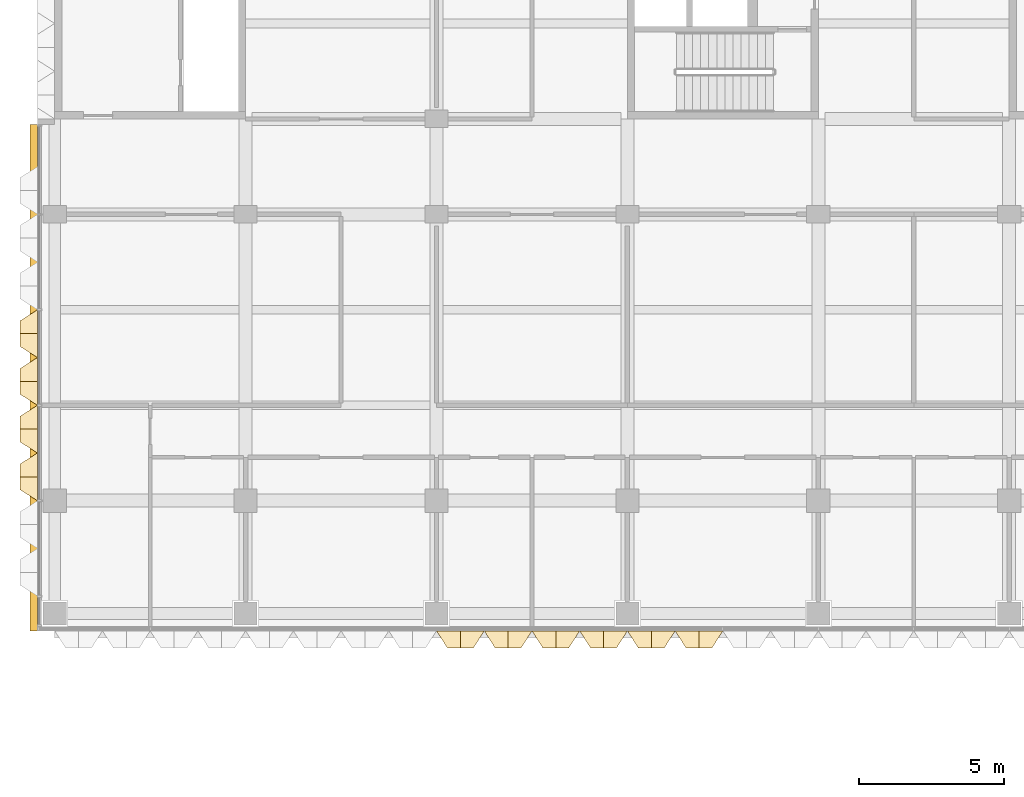
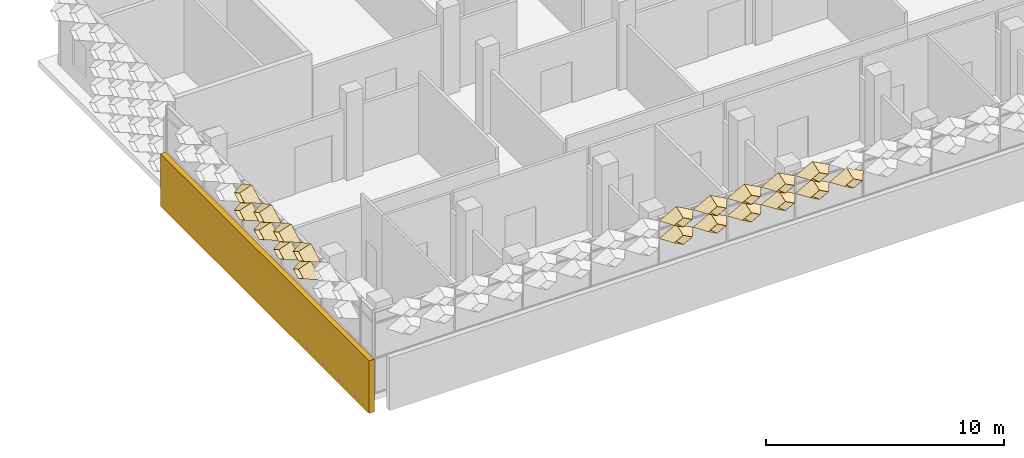
# One storey, part 57 of 102: 20 coverings.
"""IFC4 building model written with IfcOpenShell, lengths in metres."""

from ifc_helpers import new_model, entity, si_unit, direction, frame, frame_2d, origin, place, context, subcontext, project, spatial, rectangle, extrude, material, layer, layer_set, type_object, element, save


model = new_model("IFC4")

# Units and contexts
model_context = context("Model", 3, precision=1e-05, world=origin(), true_north=direction((0.0, 1.0)))
body_context = subcontext(model_context, "Body", "Model", "MODEL_VIEW")
ifc_project = project(units=[si_unit("LENGTHUNIT", "METRE"), si_unit("AREAUNIT", "SQUARE_METRE"), si_unit("VOLUMEUNIT", "CUBIC_METRE"), si_unit("PLANEANGLEUNIT", "RADIAN"), si_unit("MASSUNIT", "GRAM", prefix="KILO")], contexts=[model_context])

# Site, building, storey
site_placement = place(None, origin())
site = spatial("IfcSite", under=ifc_project, at=site_placement, CompositionType="ELEMENT")
building_placement = place(site_placement, origin())
building = spatial("IfcBuilding", under=site, at=building_placement, Name="Lantern Court Research Institute", CompositionType="ELEMENT")
storey_placement = place(building_placement, frame((0.0, 0.0, 9.89990234375)))
storey = spatial("IfcBuildingStorey", under=building, at=storey_placement, Name="L02", CompositionType="ELEMENT", Elevation=9.89990234375)

# Coverings
ifc_material_1 = material(Name="Anodised aluminium", Category="aluminium")
ifc_layer_1 = layer(ifc_material_1, 0.01611328125)
ifc_layer_set_1 = layer_set([ifc_layer_1], Name="Anodised aluminium")
covering_type_1 = type_object("IfcCoveringType", Name="Fin cassette 1650 x 900 x 600 aluminium", PredefinedType="CLADDING", material=ifc_layer_set_1)
covering_1_placement = place(storey_placement, frame((14.02490234375, -4.5, 3.150146484375), z_axis=(0.0, -1.0, 0.0), x_axis=(1.0, 0.0, 0.0)))
cartesian_point_1 = entity("IfcCartesianPoint", [0.824951171875, 0.0])
cartesian_point_2 = entity("IfcCartesianPoint", [0.79150390625, 0.0])
cartesian_point_3 = entity("IfcCartesianPoint", [0.44189453125, 0.0])
cartesian_point_4 = entity("IfcCartesianPoint", [0.43359375, 0.0])
element("IfcCovering", 1, at=covering_1_placement, inside=storey, type_object=covering_type_1, Name="Fin cassette V4S-L02 4.9", PredefinedType="CLADDING", context=body_context, shape_type="SweptSolid", body=[
    entity("IfcExtrudedAreaSolidTapered", entity("IfcArbitraryProfileDefWithVoids", "AREA", None, entity("IfcPolyline", [cartesian_point_1, entity("IfcCartesianPoint", [0.0, 0.449951171875]), entity("IfcCartesianPoint", [-0.824951171875, 0.0]), entity("IfcCartesianPoint", [0.0, -0.449951171875]), cartesian_point_1]), [entity("IfcPolyline", [cartesian_point_2, entity("IfcCartesianPoint", [0.0, 0.431884765625]), entity("IfcCartesianPoint", [-0.79150390625, 0.0]), entity("IfcCartesianPoint", [0.0, -0.431884765625]), cartesian_point_2])]), entity("IfcAxis2Placement3D", entity("IfcCartesianPoint", [0.0, 0.0, 0.0])), entity("IfcDirection", [0.0, 0.0, 1.0]), 0.60009765625, entity("IfcArbitraryProfileDefWithVoids", "AREA", None, entity("IfcPolyline", [cartesian_point_3, entity("IfcCartesianPoint", [0.0, 0.240966796875]), entity("IfcCartesianPoint", [-0.44189453125, 0.0]), entity("IfcCartesianPoint", [0.0, -0.240966796875]), cartesian_point_3]), [entity("IfcPolyline", [cartesian_point_4, entity("IfcCartesianPoint", [0.0, 0.236572265625]), entity("IfcCartesianPoint", [-0.43359375, 0.0]), entity("IfcCartesianPoint", [0.0, -0.236572265625]), cartesian_point_4])])),
])
covering_2_placement = place(storey_placement, frame((15.675048828125, -4.5, 3.150146484375), z_axis=(0.0, -1.0, 0.0), x_axis=(1.0, 0.0, 0.0)))
cartesian_point_5 = entity("IfcCartesianPoint", [0.824951171875, 0.0])
cartesian_point_6 = entity("IfcCartesianPoint", [0.79150390625, 0.0])
cartesian_point_7 = entity("IfcCartesianPoint", [0.44189453125, 0.0])
cartesian_point_8 = entity("IfcCartesianPoint", [0.43359375, 0.0])
element("IfcCovering", 2, at=covering_2_placement, inside=storey, type_object=covering_type_1, Name="Fin cassette V4S-L02 4.10", PredefinedType="CLADDING", context=body_context, shape_type="SweptSolid", body=[
    entity("IfcExtrudedAreaSolidTapered", entity("IfcArbitraryProfileDefWithVoids", "AREA", None, entity("IfcPolyline", [cartesian_point_5, entity("IfcCartesianPoint", [0.0, 0.449951171875]), entity("IfcCartesianPoint", [-0.824951171875, 0.0]), entity("IfcCartesianPoint", [0.0, -0.449951171875]), cartesian_point_5]), [entity("IfcPolyline", [cartesian_point_6, entity("IfcCartesianPoint", [0.0, 0.431884765625]), entity("IfcCartesianPoint", [-0.79150390625, 0.0]), entity("IfcCartesianPoint", [0.0, -0.431884765625]), cartesian_point_6])]), entity("IfcAxis2Placement3D", entity("IfcCartesianPoint", [0.0, 0.0, 0.0])), entity("IfcDirection", [0.0, 0.0, 1.0]), 0.60009765625, entity("IfcArbitraryProfileDefWithVoids", "AREA", None, entity("IfcPolyline", [cartesian_point_7, entity("IfcCartesianPoint", [0.0, 0.240966796875]), entity("IfcCartesianPoint", [-0.44189453125, 0.0]), entity("IfcCartesianPoint", [0.0, -0.240966796875]), cartesian_point_7]), [entity("IfcPolyline", [cartesian_point_8, entity("IfcCartesianPoint", [0.0, 0.236572265625]), entity("IfcCartesianPoint", [-0.43359375, 0.0]), entity("IfcCartesianPoint", [0.0, -0.236572265625]), cartesian_point_8])])),
])
covering_3_placement = place(storey_placement, frame((17.324951171875, -4.5, 3.150146484375), z_axis=(0.0, -1.0, 0.0), x_axis=(1.0, 0.0, 0.0)))
cartesian_point_9 = entity("IfcCartesianPoint", [0.824951171875, 0.0])
cartesian_point_10 = entity("IfcCartesianPoint", [0.79150390625, 0.0])
cartesian_point_11 = entity("IfcCartesianPoint", [0.44189453125, 0.0])
cartesian_point_12 = entity("IfcCartesianPoint", [0.43359375, 0.0])
element("IfcCovering", 3, at=covering_3_placement, inside=storey, type_object=covering_type_1, Name="Fin cassette V4S-L02 4.11", PredefinedType="CLADDING", context=body_context, shape_type="SweptSolid", body=[
    entity("IfcExtrudedAreaSolidTapered", entity("IfcArbitraryProfileDefWithVoids", "AREA", None, entity("IfcPolyline", [cartesian_point_9, entity("IfcCartesianPoint", [0.0, 0.449951171875]), entity("IfcCartesianPoint", [-0.824951171875, 0.0]), entity("IfcCartesianPoint", [0.0, -0.449951171875]), cartesian_point_9]), [entity("IfcPolyline", [cartesian_point_10, entity("IfcCartesianPoint", [0.0, 0.431884765625]), entity("IfcCartesianPoint", [-0.79150390625, 0.0]), entity("IfcCartesianPoint", [0.0, -0.431884765625]), cartesian_point_10])]), entity("IfcAxis2Placement3D", entity("IfcCartesianPoint", [0.0, 0.0, 0.0])), entity("IfcDirection", [0.0, 0.0, 1.0]), 0.60009765625, entity("IfcArbitraryProfileDefWithVoids", "AREA", None, entity("IfcPolyline", [cartesian_point_11, entity("IfcCartesianPoint", [0.0, 0.240966796875]), entity("IfcCartesianPoint", [-0.44189453125, 0.0]), entity("IfcCartesianPoint", [0.0, -0.240966796875]), cartesian_point_11]), [entity("IfcPolyline", [cartesian_point_12, entity("IfcCartesianPoint", [0.0, 0.236572265625]), entity("IfcCartesianPoint", [-0.43359375, 0.0]), entity("IfcCartesianPoint", [0.0, -0.236572265625]), cartesian_point_12])])),
])
covering_4_placement = place(storey_placement, frame((18.97509765625, -4.5, 3.150146484375), z_axis=(0.0, -1.0, 0.0), x_axis=(1.0, 0.0, 0.0)))
cartesian_point_13 = entity("IfcCartesianPoint", [0.824951171875, 0.0])
cartesian_point_14 = entity("IfcCartesianPoint", [0.79150390625, 0.0])
cartesian_point_15 = entity("IfcCartesianPoint", [0.44189453125, 0.0])
cartesian_point_16 = entity("IfcCartesianPoint", [0.43359375, 0.0])
element("IfcCovering", 4, at=covering_4_placement, inside=storey, type_object=covering_type_1, Name="Fin cassette V4S-L02 4.12", PredefinedType="CLADDING", context=body_context, shape_type="SweptSolid", body=[
    entity("IfcExtrudedAreaSolidTapered", entity("IfcArbitraryProfileDefWithVoids", "AREA", None, entity("IfcPolyline", [cartesian_point_13, entity("IfcCartesianPoint", [0.0, 0.449951171875]), entity("IfcCartesianPoint", [-0.824951171875, 0.0]), entity("IfcCartesianPoint", [0.0, -0.449951171875]), cartesian_point_13]), [entity("IfcPolyline", [cartesian_point_14, entity("IfcCartesianPoint", [0.0, 0.431884765625]), entity("IfcCartesianPoint", [-0.79150390625, 0.0]), entity("IfcCartesianPoint", [0.0, -0.431884765625]), cartesian_point_14])]), entity("IfcAxis2Placement3D", entity("IfcCartesianPoint", [0.0, 0.0, 0.0])), entity("IfcDirection", [0.0, 0.0, 1.0]), 0.60009765625, entity("IfcArbitraryProfileDefWithVoids", "AREA", None, entity("IfcPolyline", [cartesian_point_15, entity("IfcCartesianPoint", [0.0, 0.240966796875]), entity("IfcCartesianPoint", [-0.44189453125, 0.0]), entity("IfcCartesianPoint", [0.0, -0.240966796875]), cartesian_point_15]), [entity("IfcPolyline", [cartesian_point_16, entity("IfcCartesianPoint", [0.0, 0.236572265625]), entity("IfcCartesianPoint", [-0.43359375, 0.0]), entity("IfcCartesianPoint", [0.0, -0.236572265625]), cartesian_point_16])])),
])
covering_5_placement = place(storey_placement, frame((20.625, -4.5, 3.150146484375), z_axis=(0.0, -1.0, 0.0), x_axis=(1.0, 0.0, 0.0)))
cartesian_point_17 = entity("IfcCartesianPoint", [0.824951171875, 0.0])
cartesian_point_18 = entity("IfcCartesianPoint", [0.79150390625, 0.0])
cartesian_point_19 = entity("IfcCartesianPoint", [0.44189453125, 0.0])
cartesian_point_20 = entity("IfcCartesianPoint", [0.43359375, 0.0])
element("IfcCovering", 5, at=covering_5_placement, inside=storey, type_object=covering_type_1, Name="Fin cassette V4S-L02 4.13", PredefinedType="CLADDING", context=body_context, shape_type="SweptSolid", body=[
    entity("IfcExtrudedAreaSolidTapered", entity("IfcArbitraryProfileDefWithVoids", "AREA", None, entity("IfcPolyline", [cartesian_point_17, entity("IfcCartesianPoint", [0.0, 0.449951171875]), entity("IfcCartesianPoint", [-0.824951171875, 0.0]), entity("IfcCartesianPoint", [0.0, -0.449951171875]), cartesian_point_17]), [entity("IfcPolyline", [cartesian_point_18, entity("IfcCartesianPoint", [0.0, 0.431884765625]), entity("IfcCartesianPoint", [-0.79150390625, 0.0]), entity("IfcCartesianPoint", [0.0, -0.431884765625]), cartesian_point_18])]), entity("IfcAxis2Placement3D", entity("IfcCartesianPoint", [0.0, 0.0, 0.0])), entity("IfcDirection", [0.0, 0.0, 1.0]), 0.60009765625, entity("IfcArbitraryProfileDefWithVoids", "AREA", None, entity("IfcPolyline", [cartesian_point_19, entity("IfcCartesianPoint", [0.0, 0.240966796875]), entity("IfcCartesianPoint", [-0.44189453125, 0.0]), entity("IfcCartesianPoint", [0.0, -0.240966796875]), cartesian_point_19]), [entity("IfcPolyline", [cartesian_point_20, entity("IfcCartesianPoint", [0.0, 0.236572265625]), entity("IfcCartesianPoint", [-0.43359375, 0.0]), entity("IfcCartesianPoint", [0.0, -0.236572265625]), cartesian_point_20])])),
])
covering_6_placement = place(storey_placement, frame((22.27490234375, -4.5, 3.150146484375), z_axis=(0.0, -1.0, 0.0), x_axis=(1.0, 0.0, 0.0)))
cartesian_point_21 = entity("IfcCartesianPoint", [0.824951171875, 0.0])
cartesian_point_22 = entity("IfcCartesianPoint", [0.79150390625, 0.0])
cartesian_point_23 = entity("IfcCartesianPoint", [0.44189453125, 0.0])
cartesian_point_24 = entity("IfcCartesianPoint", [0.43359375, 0.0])
element("IfcCovering", 6, at=covering_6_placement, inside=storey, type_object=covering_type_1, Name="Fin cassette V4S-L02 4.14", PredefinedType="CLADDING", context=body_context, shape_type="SweptSolid", body=[
    entity("IfcExtrudedAreaSolidTapered", entity("IfcArbitraryProfileDefWithVoids", "AREA", None, entity("IfcPolyline", [cartesian_point_21, entity("IfcCartesianPoint", [0.0, 0.449951171875]), entity("IfcCartesianPoint", [-0.824951171875, 0.0]), entity("IfcCartesianPoint", [0.0, -0.449951171875]), cartesian_point_21]), [entity("IfcPolyline", [cartesian_point_22, entity("IfcCartesianPoint", [0.0, 0.431884765625]), entity("IfcCartesianPoint", [-0.79150390625, 0.0]), entity("IfcCartesianPoint", [0.0, -0.431884765625]), cartesian_point_22])]), entity("IfcAxis2Placement3D", entity("IfcCartesianPoint", [0.0, 0.0, 0.0])), entity("IfcDirection", [0.0, 0.0, 1.0]), 0.60009765625, entity("IfcArbitraryProfileDefWithVoids", "AREA", None, entity("IfcPolyline", [cartesian_point_23, entity("IfcCartesianPoint", [0.0, 0.240966796875]), entity("IfcCartesianPoint", [-0.44189453125, 0.0]), entity("IfcCartesianPoint", [0.0, -0.240966796875]), cartesian_point_23]), [entity("IfcPolyline", [cartesian_point_24, entity("IfcCartesianPoint", [0.0, 0.236572265625]), entity("IfcCartesianPoint", [-0.43359375, 0.0]), entity("IfcCartesianPoint", [0.0, -0.236572265625]), cartesian_point_24])])),
])
covering_7_placement = place(storey_placement, frame((14.02490234375, -4.5, 4.050048828125), z_axis=(0.0, -1.0, 0.0), x_axis=(1.0, 0.0, 0.0)))
cartesian_point_25 = entity("IfcCartesianPoint", [0.824951171875, 0.0])
cartesian_point_26 = entity("IfcCartesianPoint", [0.79150390625, 0.0])
cartesian_point_27 = entity("IfcCartesianPoint", [0.44189453125, 0.0])
cartesian_point_28 = entity("IfcCartesianPoint", [0.43359375, 0.0])
element("IfcCovering", 7, at=covering_7_placement, inside=storey, type_object=covering_type_1, Name="Fin cassette V4S-L02 5.9", PredefinedType="CLADDING", context=body_context, shape_type="SweptSolid", body=[
    entity("IfcExtrudedAreaSolidTapered", entity("IfcArbitraryProfileDefWithVoids", "AREA", None, entity("IfcPolyline", [cartesian_point_25, entity("IfcCartesianPoint", [0.0, 0.449951171875]), entity("IfcCartesianPoint", [-0.824951171875, 0.0]), entity("IfcCartesianPoint", [0.0, -0.449951171875]), cartesian_point_25]), [entity("IfcPolyline", [cartesian_point_26, entity("IfcCartesianPoint", [0.0, 0.431884765625]), entity("IfcCartesianPoint", [-0.79150390625, 0.0]), entity("IfcCartesianPoint", [0.0, -0.431884765625]), cartesian_point_26])]), entity("IfcAxis2Placement3D", entity("IfcCartesianPoint", [0.0, 0.0, 0.0])), entity("IfcDirection", [0.0, 0.0, 1.0]), 0.60009765625, entity("IfcArbitraryProfileDefWithVoids", "AREA", None, entity("IfcPolyline", [cartesian_point_27, entity("IfcCartesianPoint", [0.0, 0.240966796875]), entity("IfcCartesianPoint", [-0.44189453125, 0.0]), entity("IfcCartesianPoint", [0.0, -0.240966796875]), cartesian_point_27]), [entity("IfcPolyline", [cartesian_point_28, entity("IfcCartesianPoint", [0.0, 0.236572265625]), entity("IfcCartesianPoint", [-0.43359375, 0.0]), entity("IfcCartesianPoint", [0.0, -0.236572265625]), cartesian_point_28])])),
])
covering_8_placement = place(storey_placement, frame((15.675048828125, -4.5, 4.050048828125), z_axis=(0.0, -1.0, 0.0), x_axis=(1.0, 0.0, 0.0)))
cartesian_point_29 = entity("IfcCartesianPoint", [0.824951171875, 0.0])
cartesian_point_30 = entity("IfcCartesianPoint", [0.79150390625, 0.0])
cartesian_point_31 = entity("IfcCartesianPoint", [0.44189453125, 0.0])
cartesian_point_32 = entity("IfcCartesianPoint", [0.43359375, 0.0])
element("IfcCovering", 8, at=covering_8_placement, inside=storey, type_object=covering_type_1, Name="Fin cassette V4S-L02 5.10", PredefinedType="CLADDING", context=body_context, shape_type="SweptSolid", body=[
    entity("IfcExtrudedAreaSolidTapered", entity("IfcArbitraryProfileDefWithVoids", "AREA", None, entity("IfcPolyline", [cartesian_point_29, entity("IfcCartesianPoint", [0.0, 0.449951171875]), entity("IfcCartesianPoint", [-0.824951171875, 0.0]), entity("IfcCartesianPoint", [0.0, -0.449951171875]), cartesian_point_29]), [entity("IfcPolyline", [cartesian_point_30, entity("IfcCartesianPoint", [0.0, 0.431884765625]), entity("IfcCartesianPoint", [-0.79150390625, 0.0]), entity("IfcCartesianPoint", [0.0, -0.431884765625]), cartesian_point_30])]), entity("IfcAxis2Placement3D", entity("IfcCartesianPoint", [0.0, 0.0, 0.0])), entity("IfcDirection", [0.0, 0.0, 1.0]), 0.60009765625, entity("IfcArbitraryProfileDefWithVoids", "AREA", None, entity("IfcPolyline", [cartesian_point_31, entity("IfcCartesianPoint", [0.0, 0.240966796875]), entity("IfcCartesianPoint", [-0.44189453125, 0.0]), entity("IfcCartesianPoint", [0.0, -0.240966796875]), cartesian_point_31]), [entity("IfcPolyline", [cartesian_point_32, entity("IfcCartesianPoint", [0.0, 0.236572265625]), entity("IfcCartesianPoint", [-0.43359375, 0.0]), entity("IfcCartesianPoint", [0.0, -0.236572265625]), cartesian_point_32])])),
])
covering_9_placement = place(storey_placement, frame((17.324951171875, -4.5, 4.050048828125), z_axis=(0.0, -1.0, 0.0), x_axis=(1.0, 0.0, 0.0)))
cartesian_point_33 = entity("IfcCartesianPoint", [0.824951171875, 0.0])
cartesian_point_34 = entity("IfcCartesianPoint", [0.79150390625, 0.0])
cartesian_point_35 = entity("IfcCartesianPoint", [0.44189453125, 0.0])
cartesian_point_36 = entity("IfcCartesianPoint", [0.43359375, 0.0])
element("IfcCovering", 9, at=covering_9_placement, inside=storey, type_object=covering_type_1, Name="Fin cassette V4S-L02 5.11", PredefinedType="CLADDING", context=body_context, shape_type="SweptSolid", body=[
    entity("IfcExtrudedAreaSolidTapered", entity("IfcArbitraryProfileDefWithVoids", "AREA", None, entity("IfcPolyline", [cartesian_point_33, entity("IfcCartesianPoint", [0.0, 0.449951171875]), entity("IfcCartesianPoint", [-0.824951171875, 0.0]), entity("IfcCartesianPoint", [0.0, -0.449951171875]), cartesian_point_33]), [entity("IfcPolyline", [cartesian_point_34, entity("IfcCartesianPoint", [0.0, 0.431884765625]), entity("IfcCartesianPoint", [-0.79150390625, 0.0]), entity("IfcCartesianPoint", [0.0, -0.431884765625]), cartesian_point_34])]), entity("IfcAxis2Placement3D", entity("IfcCartesianPoint", [0.0, 0.0, 0.0])), entity("IfcDirection", [0.0, 0.0, 1.0]), 0.60009765625, entity("IfcArbitraryProfileDefWithVoids", "AREA", None, entity("IfcPolyline", [cartesian_point_35, entity("IfcCartesianPoint", [0.0, 0.240966796875]), entity("IfcCartesianPoint", [-0.44189453125, 0.0]), entity("IfcCartesianPoint", [0.0, -0.240966796875]), cartesian_point_35]), [entity("IfcPolyline", [cartesian_point_36, entity("IfcCartesianPoint", [0.0, 0.236572265625]), entity("IfcCartesianPoint", [-0.43359375, 0.0]), entity("IfcCartesianPoint", [0.0, -0.236572265625]), cartesian_point_36])])),
])
covering_10_placement = place(storey_placement, frame((18.97509765625, -4.5, 4.050048828125), z_axis=(0.0, -1.0, 0.0), x_axis=(1.0, 0.0, 0.0)))
cartesian_point_37 = entity("IfcCartesianPoint", [0.824951171875, 0.0])
cartesian_point_38 = entity("IfcCartesianPoint", [0.79150390625, 0.0])
cartesian_point_39 = entity("IfcCartesianPoint", [0.44189453125, 0.0])
cartesian_point_40 = entity("IfcCartesianPoint", [0.43359375, 0.0])
element("IfcCovering", 10, at=covering_10_placement, inside=storey, type_object=covering_type_1, Name="Fin cassette V4S-L02 5.12", PredefinedType="CLADDING", context=body_context, shape_type="SweptSolid", body=[
    entity("IfcExtrudedAreaSolidTapered", entity("IfcArbitraryProfileDefWithVoids", "AREA", None, entity("IfcPolyline", [cartesian_point_37, entity("IfcCartesianPoint", [0.0, 0.449951171875]), entity("IfcCartesianPoint", [-0.824951171875, 0.0]), entity("IfcCartesianPoint", [0.0, -0.449951171875]), cartesian_point_37]), [entity("IfcPolyline", [cartesian_point_38, entity("IfcCartesianPoint", [0.0, 0.431884765625]), entity("IfcCartesianPoint", [-0.79150390625, 0.0]), entity("IfcCartesianPoint", [0.0, -0.431884765625]), cartesian_point_38])]), entity("IfcAxis2Placement3D", entity("IfcCartesianPoint", [0.0, 0.0, 0.0])), entity("IfcDirection", [0.0, 0.0, 1.0]), 0.60009765625, entity("IfcArbitraryProfileDefWithVoids", "AREA", None, entity("IfcPolyline", [cartesian_point_39, entity("IfcCartesianPoint", [0.0, 0.240966796875]), entity("IfcCartesianPoint", [-0.44189453125, 0.0]), entity("IfcCartesianPoint", [0.0, -0.240966796875]), cartesian_point_39]), [entity("IfcPolyline", [cartesian_point_40, entity("IfcCartesianPoint", [0.0, 0.236572265625]), entity("IfcCartesianPoint", [-0.43359375, 0.0]), entity("IfcCartesianPoint", [0.0, -0.236572265625]), cartesian_point_40])])),
])
covering_11_placement = place(storey_placement, frame((20.625, -4.5, 4.050048828125), z_axis=(0.0, -1.0, 0.0), x_axis=(1.0, 0.0, 0.0)))
cartesian_point_41 = entity("IfcCartesianPoint", [0.824951171875, 0.0])
cartesian_point_42 = entity("IfcCartesianPoint", [0.79150390625, 0.0])
cartesian_point_43 = entity("IfcCartesianPoint", [0.44189453125, 0.0])
cartesian_point_44 = entity("IfcCartesianPoint", [0.43359375, 0.0])
element("IfcCovering", 11, at=covering_11_placement, inside=storey, type_object=covering_type_1, Name="Fin cassette V4S-L02 5.13", PredefinedType="CLADDING", context=body_context, shape_type="SweptSolid", body=[
    entity("IfcExtrudedAreaSolidTapered", entity("IfcArbitraryProfileDefWithVoids", "AREA", None, entity("IfcPolyline", [cartesian_point_41, entity("IfcCartesianPoint", [0.0, 0.449951171875]), entity("IfcCartesianPoint", [-0.824951171875, 0.0]), entity("IfcCartesianPoint", [0.0, -0.449951171875]), cartesian_point_41]), [entity("IfcPolyline", [cartesian_point_42, entity("IfcCartesianPoint", [0.0, 0.431884765625]), entity("IfcCartesianPoint", [-0.79150390625, 0.0]), entity("IfcCartesianPoint", [0.0, -0.431884765625]), cartesian_point_42])]), entity("IfcAxis2Placement3D", entity("IfcCartesianPoint", [0.0, 0.0, 0.0])), entity("IfcDirection", [0.0, 0.0, 1.0]), 0.60009765625, entity("IfcArbitraryProfileDefWithVoids", "AREA", None, entity("IfcPolyline", [cartesian_point_43, entity("IfcCartesianPoint", [0.0, 0.240966796875]), entity("IfcCartesianPoint", [-0.44189453125, 0.0]), entity("IfcCartesianPoint", [0.0, -0.240966796875]), cartesian_point_43]), [entity("IfcPolyline", [cartesian_point_44, entity("IfcCartesianPoint", [0.0, 0.236572265625]), entity("IfcCartesianPoint", [-0.43359375, 0.0]), entity("IfcCartesianPoint", [0.0, -0.236572265625]), cartesian_point_44])])),
])
covering_12_placement = place(storey_placement, frame((-0.60009765625, 0.824951171875, 3.150146484375), z_axis=(-1.0, 0.0, 0.0), x_axis=(0.0, -1.0, 0.0)))
cartesian_point_45 = entity("IfcCartesianPoint", [0.824951171875, 0.0])
cartesian_point_46 = entity("IfcCartesianPoint", [0.79150390625, 0.0])
cartesian_point_47 = entity("IfcCartesianPoint", [0.44189453125, 0.0])
cartesian_point_48 = entity("IfcCartesianPoint", [0.43359375, 0.0])
element("IfcCovering", 12, at=covering_12_placement, inside=storey, type_object=covering_type_1, Name="Fin cassette V4W-L02 4.1", PredefinedType="CLADDING", context=body_context, shape_type="SweptSolid", body=[
    entity("IfcExtrudedAreaSolidTapered", entity("IfcArbitraryProfileDefWithVoids", "AREA", None, entity("IfcPolyline", [cartesian_point_45, entity("IfcCartesianPoint", [0.0, 0.449951171875]), entity("IfcCartesianPoint", [-0.824951171875, 0.0]), entity("IfcCartesianPoint", [0.0, -0.449951171875]), cartesian_point_45]), [entity("IfcPolyline", [cartesian_point_46, entity("IfcCartesianPoint", [0.0, 0.431884765625]), entity("IfcCartesianPoint", [-0.79150390625, 0.0]), entity("IfcCartesianPoint", [0.0, -0.431884765625]), cartesian_point_46])]), entity("IfcAxis2Placement3D", entity("IfcCartesianPoint", [0.0, 0.0, 0.0])), entity("IfcDirection", [0.0, 0.0, 1.0]), 0.60009765625, entity("IfcArbitraryProfileDefWithVoids", "AREA", None, entity("IfcPolyline", [cartesian_point_47, entity("IfcCartesianPoint", [0.0, 0.240966796875]), entity("IfcCartesianPoint", [-0.44189453125, 0.0]), entity("IfcCartesianPoint", [0.0, -0.240966796875]), cartesian_point_47]), [entity("IfcPolyline", [cartesian_point_48, entity("IfcCartesianPoint", [0.0, 0.236572265625]), entity("IfcCartesianPoint", [-0.43359375, 0.0]), entity("IfcCartesianPoint", [0.0, -0.236572265625]), cartesian_point_48])])),
])
covering_13_placement = place(storey_placement, frame((-0.60009765625, 2.47509765625, 3.150146484375), z_axis=(-1.0, 0.0, 0.0), x_axis=(0.0, -1.0, 0.0)))
cartesian_point_49 = entity("IfcCartesianPoint", [0.824951171875, 0.0])
cartesian_point_50 = entity("IfcCartesianPoint", [0.79150390625, 0.0])
cartesian_point_51 = entity("IfcCartesianPoint", [0.44189453125, 0.0])
cartesian_point_52 = entity("IfcCartesianPoint", [0.43359375, 0.0])
element("IfcCovering", 13, at=covering_13_placement, inside=storey, type_object=covering_type_1, Name="Fin cassette V4W-L02 4.2", PredefinedType="CLADDING", context=body_context, shape_type="SweptSolid", body=[
    entity("IfcExtrudedAreaSolidTapered", entity("IfcArbitraryProfileDefWithVoids", "AREA", None, entity("IfcPolyline", [cartesian_point_49, entity("IfcCartesianPoint", [0.0, 0.449951171875]), entity("IfcCartesianPoint", [-0.824951171875, 0.0]), entity("IfcCartesianPoint", [0.0, -0.449951171875]), cartesian_point_49]), [entity("IfcPolyline", [cartesian_point_50, entity("IfcCartesianPoint", [0.0, 0.431884765625]), entity("IfcCartesianPoint", [-0.79150390625, 0.0]), entity("IfcCartesianPoint", [0.0, -0.431884765625]), cartesian_point_50])]), entity("IfcAxis2Placement3D", entity("IfcCartesianPoint", [0.0, 0.0, 0.0])), entity("IfcDirection", [0.0, 0.0, 1.0]), 0.60009765625, entity("IfcArbitraryProfileDefWithVoids", "AREA", None, entity("IfcPolyline", [cartesian_point_51, entity("IfcCartesianPoint", [0.0, 0.240966796875]), entity("IfcCartesianPoint", [-0.44189453125, 0.0]), entity("IfcCartesianPoint", [0.0, -0.240966796875]), cartesian_point_51]), [entity("IfcPolyline", [cartesian_point_52, entity("IfcCartesianPoint", [0.0, 0.236572265625]), entity("IfcCartesianPoint", [-0.43359375, 0.0]), entity("IfcCartesianPoint", [0.0, -0.236572265625]), cartesian_point_52])])),
])
covering_14_placement = place(storey_placement, frame((-0.60009765625, 4.125, 3.150146484375), z_axis=(-1.0, 0.0, 0.0), x_axis=(0.0, -1.0, 0.0)))
cartesian_point_53 = entity("IfcCartesianPoint", [0.824951171875, 0.0])
cartesian_point_54 = entity("IfcCartesianPoint", [0.79150390625, 0.0])
cartesian_point_55 = entity("IfcCartesianPoint", [0.44189453125, 0.0])
cartesian_point_56 = entity("IfcCartesianPoint", [0.43359375, 0.0])
element("IfcCovering", 14, at=covering_14_placement, inside=storey, type_object=covering_type_1, Name="Fin cassette V4W-L02 4.3", PredefinedType="CLADDING", context=body_context, shape_type="SweptSolid", body=[
    entity("IfcExtrudedAreaSolidTapered", entity("IfcArbitraryProfileDefWithVoids", "AREA", None, entity("IfcPolyline", [cartesian_point_53, entity("IfcCartesianPoint", [0.0, 0.449951171875]), entity("IfcCartesianPoint", [-0.824951171875, 0.0]), entity("IfcCartesianPoint", [0.0, -0.449951171875]), cartesian_point_53]), [entity("IfcPolyline", [cartesian_point_54, entity("IfcCartesianPoint", [0.0, 0.431884765625]), entity("IfcCartesianPoint", [-0.79150390625, 0.0]), entity("IfcCartesianPoint", [0.0, -0.431884765625]), cartesian_point_54])]), entity("IfcAxis2Placement3D", entity("IfcCartesianPoint", [0.0, 0.0, 0.0])), entity("IfcDirection", [0.0, 0.0, 1.0]), 0.60009765625, entity("IfcArbitraryProfileDefWithVoids", "AREA", None, entity("IfcPolyline", [cartesian_point_55, entity("IfcCartesianPoint", [0.0, 0.240966796875]), entity("IfcCartesianPoint", [-0.44189453125, 0.0]), entity("IfcCartesianPoint", [0.0, -0.240966796875]), cartesian_point_55]), [entity("IfcPolyline", [cartesian_point_56, entity("IfcCartesianPoint", [0.0, 0.236572265625]), entity("IfcCartesianPoint", [-0.43359375, 0.0]), entity("IfcCartesianPoint", [0.0, -0.236572265625]), cartesian_point_56])])),
])
covering_15_placement = place(storey_placement, frame((-0.60009765625, 5.77490234375, 3.150146484375), z_axis=(-1.0, 0.0, 0.0), x_axis=(0.0, -1.0, 0.0)))
cartesian_point_57 = entity("IfcCartesianPoint", [0.824951171875, 0.0])
cartesian_point_58 = entity("IfcCartesianPoint", [0.79150390625, 0.0])
cartesian_point_59 = entity("IfcCartesianPoint", [0.44189453125, 0.0])
cartesian_point_60 = entity("IfcCartesianPoint", [0.43359375, 0.0])
element("IfcCovering", 15, at=covering_15_placement, inside=storey, type_object=covering_type_1, Name="Fin cassette V4W-L02 4.4", PredefinedType="CLADDING", context=body_context, shape_type="SweptSolid", body=[
    entity("IfcExtrudedAreaSolidTapered", entity("IfcArbitraryProfileDefWithVoids", "AREA", None, entity("IfcPolyline", [cartesian_point_57, entity("IfcCartesianPoint", [0.0, 0.449951171875]), entity("IfcCartesianPoint", [-0.824951171875, 0.0]), entity("IfcCartesianPoint", [0.0, -0.449951171875]), cartesian_point_57]), [entity("IfcPolyline", [cartesian_point_58, entity("IfcCartesianPoint", [0.0, 0.431884765625]), entity("IfcCartesianPoint", [-0.79150390625, 0.0]), entity("IfcCartesianPoint", [0.0, -0.431884765625]), cartesian_point_58])]), entity("IfcAxis2Placement3D", entity("IfcCartesianPoint", [0.0, 0.0, 0.0])), entity("IfcDirection", [0.0, 0.0, 1.0]), 0.60009765625, entity("IfcArbitraryProfileDefWithVoids", "AREA", None, entity("IfcPolyline", [cartesian_point_59, entity("IfcCartesianPoint", [0.0, 0.240966796875]), entity("IfcCartesianPoint", [-0.44189453125, 0.0]), entity("IfcCartesianPoint", [0.0, -0.240966796875]), cartesian_point_59]), [entity("IfcPolyline", [cartesian_point_60, entity("IfcCartesianPoint", [0.0, 0.236572265625]), entity("IfcCartesianPoint", [-0.43359375, 0.0]), entity("IfcCartesianPoint", [0.0, -0.236572265625]), cartesian_point_60])])),
])
covering_16_placement = place(storey_placement, frame((-0.60009765625, 0.824951171875, 4.050048828125), z_axis=(-1.0, 0.0, 0.0), x_axis=(0.0, -1.0, 0.0)))
cartesian_point_61 = entity("IfcCartesianPoint", [0.824951171875, 0.0])
cartesian_point_62 = entity("IfcCartesianPoint", [0.79150390625, 0.0])
cartesian_point_63 = entity("IfcCartesianPoint", [0.44189453125, 0.0])
cartesian_point_64 = entity("IfcCartesianPoint", [0.43359375, 0.0])
element("IfcCovering", 16, at=covering_16_placement, inside=storey, type_object=covering_type_1, Name="Fin cassette V4W-L02 5.1", PredefinedType="CLADDING", context=body_context, shape_type="SweptSolid", body=[
    entity("IfcExtrudedAreaSolidTapered", entity("IfcArbitraryProfileDefWithVoids", "AREA", None, entity("IfcPolyline", [cartesian_point_61, entity("IfcCartesianPoint", [0.0, 0.449951171875]), entity("IfcCartesianPoint", [-0.824951171875, 0.0]), entity("IfcCartesianPoint", [0.0, -0.449951171875]), cartesian_point_61]), [entity("IfcPolyline", [cartesian_point_62, entity("IfcCartesianPoint", [0.0, 0.431884765625]), entity("IfcCartesianPoint", [-0.79150390625, 0.0]), entity("IfcCartesianPoint", [0.0, -0.431884765625]), cartesian_point_62])]), entity("IfcAxis2Placement3D", entity("IfcCartesianPoint", [0.0, 0.0, 0.0])), entity("IfcDirection", [0.0, 0.0, 1.0]), 0.60009765625, entity("IfcArbitraryProfileDefWithVoids", "AREA", None, entity("IfcPolyline", [cartesian_point_63, entity("IfcCartesianPoint", [0.0, 0.240966796875]), entity("IfcCartesianPoint", [-0.44189453125, 0.0]), entity("IfcCartesianPoint", [0.0, -0.240966796875]), cartesian_point_63]), [entity("IfcPolyline", [cartesian_point_64, entity("IfcCartesianPoint", [0.0, 0.236572265625]), entity("IfcCartesianPoint", [-0.43359375, 0.0]), entity("IfcCartesianPoint", [0.0, -0.236572265625]), cartesian_point_64])])),
])
covering_17_placement = place(storey_placement, frame((-0.60009765625, 2.47509765625, 4.050048828125), z_axis=(-1.0, 0.0, 0.0), x_axis=(0.0, -1.0, 0.0)))
cartesian_point_65 = entity("IfcCartesianPoint", [0.824951171875, 0.0])
cartesian_point_66 = entity("IfcCartesianPoint", [0.79150390625, 0.0])
cartesian_point_67 = entity("IfcCartesianPoint", [0.44189453125, 0.0])
cartesian_point_68 = entity("IfcCartesianPoint", [0.43359375, 0.0])
element("IfcCovering", 17, at=covering_17_placement, inside=storey, type_object=covering_type_1, Name="Fin cassette V4W-L02 5.2", PredefinedType="CLADDING", context=body_context, shape_type="SweptSolid", body=[
    entity("IfcExtrudedAreaSolidTapered", entity("IfcArbitraryProfileDefWithVoids", "AREA", None, entity("IfcPolyline", [cartesian_point_65, entity("IfcCartesianPoint", [0.0, 0.449951171875]), entity("IfcCartesianPoint", [-0.824951171875, 0.0]), entity("IfcCartesianPoint", [0.0, -0.449951171875]), cartesian_point_65]), [entity("IfcPolyline", [cartesian_point_66, entity("IfcCartesianPoint", [0.0, 0.431884765625]), entity("IfcCartesianPoint", [-0.79150390625, 0.0]), entity("IfcCartesianPoint", [0.0, -0.431884765625]), cartesian_point_66])]), entity("IfcAxis2Placement3D", entity("IfcCartesianPoint", [0.0, 0.0, 0.0])), entity("IfcDirection", [0.0, 0.0, 1.0]), 0.60009765625, entity("IfcArbitraryProfileDefWithVoids", "AREA", None, entity("IfcPolyline", [cartesian_point_67, entity("IfcCartesianPoint", [0.0, 0.240966796875]), entity("IfcCartesianPoint", [-0.44189453125, 0.0]), entity("IfcCartesianPoint", [0.0, -0.240966796875]), cartesian_point_67]), [entity("IfcPolyline", [cartesian_point_68, entity("IfcCartesianPoint", [0.0, 0.236572265625]), entity("IfcCartesianPoint", [-0.43359375, 0.0]), entity("IfcCartesianPoint", [0.0, -0.236572265625]), cartesian_point_68])])),
])
covering_18_placement = place(storey_placement, frame((-0.60009765625, 4.125, 4.050048828125), z_axis=(-1.0, 0.0, 0.0), x_axis=(0.0, -1.0, 0.0)))
cartesian_point_69 = entity("IfcCartesianPoint", [0.824951171875, 0.0])
cartesian_point_70 = entity("IfcCartesianPoint", [0.79150390625, 0.0])
cartesian_point_71 = entity("IfcCartesianPoint", [0.44189453125, 0.0])
cartesian_point_72 = entity("IfcCartesianPoint", [0.43359375, 0.0])
element("IfcCovering", 18, at=covering_18_placement, inside=storey, type_object=covering_type_1, Name="Fin cassette V4W-L02 5.3", PredefinedType="CLADDING", context=body_context, shape_type="SweptSolid", body=[
    entity("IfcExtrudedAreaSolidTapered", entity("IfcArbitraryProfileDefWithVoids", "AREA", None, entity("IfcPolyline", [cartesian_point_69, entity("IfcCartesianPoint", [0.0, 0.449951171875]), entity("IfcCartesianPoint", [-0.824951171875, 0.0]), entity("IfcCartesianPoint", [0.0, -0.449951171875]), cartesian_point_69]), [entity("IfcPolyline", [cartesian_point_70, entity("IfcCartesianPoint", [0.0, 0.431884765625]), entity("IfcCartesianPoint", [-0.79150390625, 0.0]), entity("IfcCartesianPoint", [0.0, -0.431884765625]), cartesian_point_70])]), entity("IfcAxis2Placement3D", entity("IfcCartesianPoint", [0.0, 0.0, 0.0])), entity("IfcDirection", [0.0, 0.0, 1.0]), 0.60009765625, entity("IfcArbitraryProfileDefWithVoids", "AREA", None, entity("IfcPolyline", [cartesian_point_71, entity("IfcCartesianPoint", [0.0, 0.240966796875]), entity("IfcCartesianPoint", [-0.44189453125, 0.0]), entity("IfcCartesianPoint", [0.0, -0.240966796875]), cartesian_point_71]), [entity("IfcPolyline", [cartesian_point_72, entity("IfcCartesianPoint", [0.0, 0.236572265625]), entity("IfcCartesianPoint", [-0.43359375, 0.0]), entity("IfcCartesianPoint", [0.0, -0.236572265625]), cartesian_point_72])])),
])
covering_19_placement = place(storey_placement, frame((-0.60009765625, 5.77490234375, 4.050048828125), z_axis=(-1.0, 0.0, 0.0), x_axis=(0.0, -1.0, 0.0)))
cartesian_point_73 = entity("IfcCartesianPoint", [0.824951171875, 0.0])
cartesian_point_74 = entity("IfcCartesianPoint", [0.79150390625, 0.0])
cartesian_point_75 = entity("IfcCartesianPoint", [0.44189453125, 0.0])
cartesian_point_76 = entity("IfcCartesianPoint", [0.43359375, 0.0])
element("IfcCovering", 19, at=covering_19_placement, inside=storey, type_object=covering_type_1, Name="Fin cassette V4W-L02 5.4", PredefinedType="CLADDING", context=body_context, shape_type="SweptSolid", body=[
    entity("IfcExtrudedAreaSolidTapered", entity("IfcArbitraryProfileDefWithVoids", "AREA", None, entity("IfcPolyline", [cartesian_point_73, entity("IfcCartesianPoint", [0.0, 0.449951171875]), entity("IfcCartesianPoint", [-0.824951171875, 0.0]), entity("IfcCartesianPoint", [0.0, -0.449951171875]), cartesian_point_73]), [entity("IfcPolyline", [cartesian_point_74, entity("IfcCartesianPoint", [0.0, 0.431884765625]), entity("IfcCartesianPoint", [-0.79150390625, 0.0]), entity("IfcCartesianPoint", [0.0, -0.431884765625]), cartesian_point_74])]), entity("IfcAxis2Placement3D", entity("IfcCartesianPoint", [0.0, 0.0, 0.0])), entity("IfcDirection", [0.0, 0.0, 1.0]), 0.60009765625, entity("IfcArbitraryProfileDefWithVoids", "AREA", None, entity("IfcPolyline", [cartesian_point_75, entity("IfcCartesianPoint", [0.0, 0.240966796875]), entity("IfcCartesianPoint", [-0.44189453125, 0.0]), entity("IfcCartesianPoint", [0.0, -0.240966796875]), cartesian_point_75]), [entity("IfcPolyline", [cartesian_point_76, entity("IfcCartesianPoint", [0.0, 0.236572265625]), entity("IfcCartesianPoint", [-0.43359375, 0.0]), entity("IfcCartesianPoint", [0.0, -0.236572265625]), cartesian_point_76])])),
])
ifc_material_2 = material(Name="Aluminium composite panel with mineral wool insulation", Category="aluminium")
ifc_layer_2 = layer(ifc_material_2, 0.25)
ifc_layer_set_2 = layer_set([ifc_layer_2], Name="Aluminium composite panel with mineral wool insulation")
covering_type_2 = type_object("IfcCoveringType", Name="Oversail edge band 250 aluminium composite", PredefinedType="CLADDING", material=ifc_layer_set_2)
covering_20_placement = place(storey_placement, frame((-0.72509765625, -4.5, -0.89990234375), z_axis=(0.0, 0.0, 1.0), x_axis=(0.0, 1.0, 0.0)))
element("IfcCovering", 20, at=covering_20_placement, inside=storey, type_object=covering_type_2, Name="Oversail edge band V4W 4", PredefinedType="CLADDING", context=body_context, shape_type="SweptSolid", body=[
    extrude(rectangle(XDim=17.5, YDim=0.25, at=frame_2d((8.75, 0.0))), origin(), (0.0, 0.0, 1.0), 2.699951171875),
])

save(model, "model.ifc")
